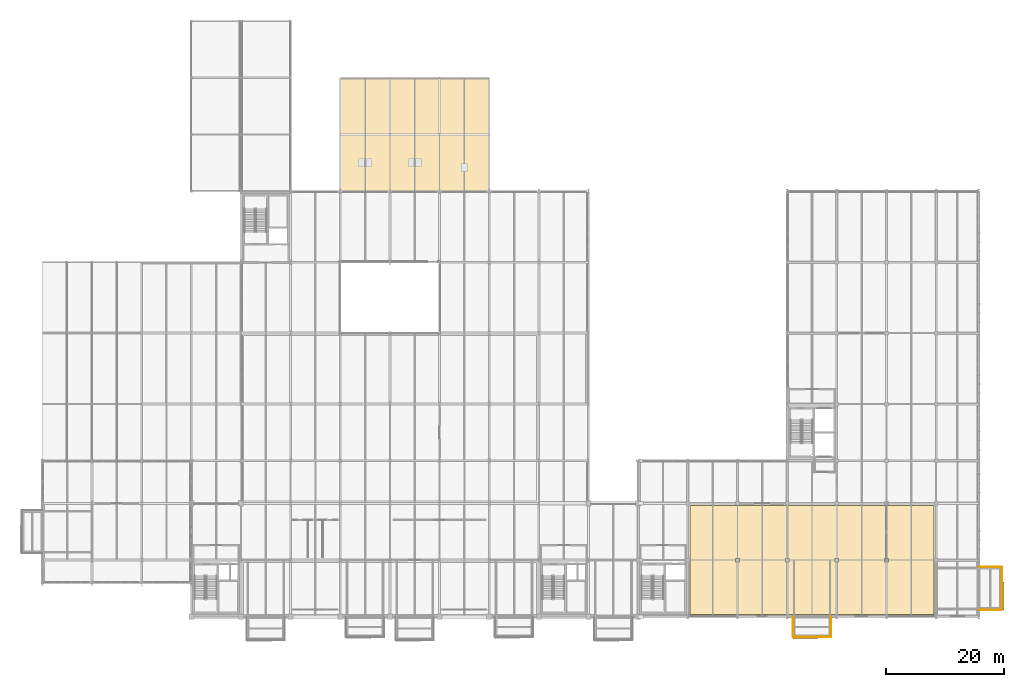
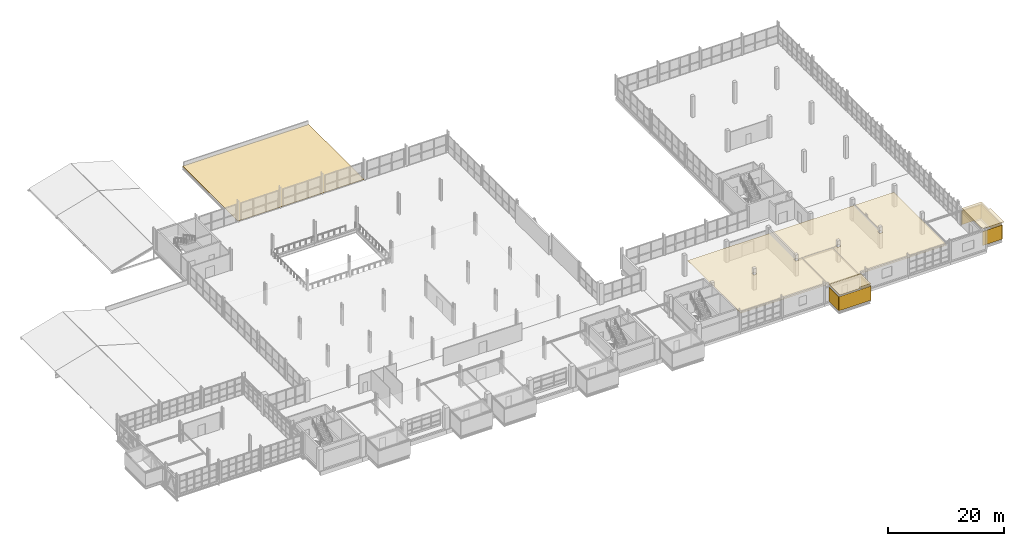
# One storey, part 128 of 130: 10 coverings.
"""IFC4 building model written with IfcOpenShell, lengths in metres."""

from ifc_helpers import new_model, si_unit, direction, frame, frame_2d, origin, place, context, subcontext, project, spatial, polyline, rectangle, outline, extrude, material, layer, layer_set, type_object, element, save


model = new_model("IFC4")

# Units and contexts
model_context = context("Model", 3, precision=1e-05, world=origin(), true_north=direction((0.0, 1.0)))
body_context = subcontext(model_context, "Body", "Model", "MODEL_VIEW")
ifc_project = project(units=[si_unit("LENGTHUNIT", "METRE"), si_unit("AREAUNIT", "SQUARE_METRE"), si_unit("VOLUMEUNIT", "CUBIC_METRE"), si_unit("PLANEANGLEUNIT", "RADIAN"), si_unit("MASSUNIT", "GRAM", prefix="KILO")], contexts=[model_context])

# Site, building, storey
site_placement = place(None, origin())
site = spatial("IfcSite", under=ifc_project, at=site_placement, CompositionType="ELEMENT")
building_placement = place(site_placement, origin())
building = spatial("IfcBuilding", under=site, at=building_placement, Name="Veltarok Museum of Natural Sciences", CompositionType="ELEMENT")
storey_placement = place(building_placement, frame((0.0, 0.0, 12.89990234375)))
storey = spatial("IfcBuildingStorey", under=building, at=storey_placement, Name="L02", CompositionType="ELEMENT", Elevation=12.89990234375)

# Coverings
ifc_material_1 = material(Name="Corrugated zinc cladding")
ifc_layer_1 = layer(ifc_material_1, 0.044921875)
ifc_layer_set_1 = layer_set([ifc_layer_1], Name="Corrugated zinc cladding")
covering_type_1 = type_object("IfcCoveringType", Name="Corrugated Titanium-Zinc Rainscreen Cladding 45", PredefinedType="CLADDING", material=ifc_layer_set_1)
covering_1_placement = place(storey_placement, frame((133.39990234375, -3.422119140625, 0.0), z_axis=(0.0, 0.0, 1.0), x_axis=(1.0, 0.0, 0.0)))
element("IfcCovering", 1, at=covering_1_placement, inside=storey, type_object=covering_type_1, Name="Corrugated Zinc Cladding DB-12-S", PredefinedType="CLADDING", context=body_context, shape_type="SweptSolid", body=[
    extrude(rectangle(XDim=6.400146484375, YDim=0.044921875, at=frame_2d((3.2001953125, 0.0))), origin(), (0.0, 0.0, 1.0), 2.989990234375),
])
for number, where, z_axis, x_axis, name in (
    (2, (133.3779296875, 0.0, 0.0), (0.0, 0.0, 1.0), (0.0, -1.0, 0.0), "Corrugated Zinc Cladding DB-12-W"),
    (3, (139.822021484375, -3.39990234375, 0.0), (0.0, 0.0, 1.0), (0.0, 1.0, 0.0), "Corrugated Zinc Cladding DB-12-E"),
):
    element("IfcCovering", number, at=place(storey_placement, frame(where, z_axis=z_axis, x_axis=x_axis)), inside=storey, type_object=covering_type_1, Name=name, PredefinedType="CLADDING", context=body_context, shape_type="SweptSolid", body=[
        extrude(rectangle(XDim=3.39990234375, YDim=0.044921875, at=frame_2d((1.699951171875, 0.0))), origin(), (0.0, 0.0, 1.0), 2.989990234375),
    ])
covering_2_placement = place(storey_placement, frame((168.721923828125, 1.199951171875, 0.0), z_axis=(0.0, 0.0, 1.0), x_axis=(0.0, 1.0, 0.0)))
element("IfcCovering", 4, at=covering_2_placement, inside=storey, type_object=covering_type_1, Name="Corrugated Zinc Cladding DB-31-E", PredefinedType="CLADDING", context=body_context, shape_type="SweptSolid", body=[
    extrude(rectangle(XDim=7.199951171875, YDim=0.044921875, at=frame_2d((3.60009765625, 0.0))), origin(), (0.0, 0.0, 1.0), 2.989990234375),
])
for number, where, z_axis, x_axis, name in (
    (5, (164.800048828125, 1.177978515625, 0.0), (0.0, 0.0, 1.0), (1.0, 0.0, 0.0), "Corrugated Zinc Cladding DB-31-S"),
    (6, (168.699951171875, 8.422119140625, 0.0), (0.0, 0.0, 1.0), (-1.0, 0.0, 0.0), "Corrugated Zinc Cladding DB-31-N"),
):
    element("IfcCovering", number, at=place(storey_placement, frame(where, z_axis=z_axis, x_axis=x_axis)), inside=storey, type_object=covering_type_1, Name=name, PredefinedType="CLADDING", context=body_context, shape_type="SweptSolid", body=[
        extrude(rectangle(XDim=3.89990234375, YDim=0.044921875, at=frame_2d((1.949951171875, 0.0))), origin(), (0.0, 0.0, 1.0), 2.989990234375),
    ])
ifc_material_2 = material(Name="EPDM waterproofing membrane")
ifc_layer_2 = layer(ifc_material_2, 0.06005859375)
ifc_layer_set_2 = layer_set([ifc_layer_2], Name="EPDM waterproofing membrane")
covering_type_2 = type_object("IfcCoveringType", Name="EPDM Waterproofing and Acoustic Roof Membrane 60", PredefinedType="ROOFING", material=ifc_layer_set_2)
covering_3_placement = place(storey_placement, origin())
element("IfcCovering", 7, at=covering_3_placement, inside=storey, type_object=covering_type_2, Name="Roof Waterproofing RF-V2N", PredefinedType="ROOFING", context=body_context, shape_type="SweptSolid", body=[
    extrude(outline(polyline([(56.800048828125, 72.0), (56.800048828125, 91.199951171875), (82.0, 91.199951171875), (82.0, 72.0), (56.800048828125, 72.0)])), origin(), (0.0, 0.0, 1.0), 0.06005859375),
])
covering_4_placement = place(storey_placement, frame((0.0, 0.0, 3.4501953125)))
element("IfcCovering", 8, at=covering_4_placement, inside=storey, type_object=covering_type_2, Name="Cabinet Box Roof Membrane DB-12", PredefinedType="ROOFING", context=body_context, shape_type="SweptSolid", body=[
    extrude(outline(polyline([(133.39990234375, -3.780029296875), (137.56005859375, -3.780029296875), (137.56005859375, -3.39990234375), (139.800048828125, -3.39990234375), (139.800048828125, 0.0), (133.39990234375, 0.0), (133.39990234375, -3.780029296875)])), origin(), (0.0, 0.0, 1.0), 0.059814453125),
])
covering_5_placement = place(storey_placement, frame((0.0, 0.0, 3.4501953125)))
element("IfcCovering", 9, at=covering_5_placement, inside=storey, type_object=covering_type_2, Name="Cabinet Box Roof Membrane DB-31", PredefinedType="ROOFING", context=body_context, shape_type="SweptSolid", body=[
    extrude(outline(polyline([(164.800048828125, 1.199951171875), (169.080078125, 1.199951171875), (169.080078125, 5.8798828125), (168.699951171875, 5.8798828125), (168.699951171875, 8.39990234375), (164.800048828125, 8.39990234375), (164.800048828125, 1.199951171875)])), origin(), (0.0, 0.0, 1.0), 0.059814453125),
])
ifc_material_3 = material(Name="Acoustic gypsum and mineral wool")
ifc_layer_3 = layer(ifc_material_3, 0.044921875)
ifc_layer_set_3 = layer_set([ifc_layer_3], Name="Acoustic gypsum and mineral wool")
covering_type_3 = type_object("IfcCoveringType", Name="Perforated Acoustic Museum Ceiling Baffle System 45", PredefinedType="CEILING", material=ifc_layer_set_3)
covering_6_placement = place(storey_placement, frame((0.0, 0.0, 3.2001953125)))
element("IfcCovering", 10, at=covering_6_placement, inside=storey, type_object=covering_type_3, Name="Acoustic Gallery Ceiling L02-09", PredefinedType="CEILING", context=body_context, shape_type="SweptSolid", body=[
    extrude(outline(polyline([(116.0, 0.39990234375), (116.0, 18.800048828125), (157.199951171875, 18.800048828125), (157.199951171875, 0.39990234375), (116.0, 0.39990234375)]), holes=[polyline([(132.092041015625, 9.907958984375), (132.092041015625, 9.2919921875), (132.7080078125, 9.2919921875), (132.7080078125, 9.907958984375), (132.092041015625, 9.907958984375)]), polyline([(123.69189453125, 9.907958984375), (123.69189453125, 9.2919921875), (124.30810546875, 9.2919921875), (124.30810546875, 9.907958984375), (123.69189453125, 9.907958984375)]), polyline([(140.491943359375, 9.907958984375), (140.491943359375, 9.2919921875), (141.10791015625, 9.2919921875), (141.10791015625, 9.907958984375), (140.491943359375, 9.907958984375)]), polyline([(148.89208984375, 9.907958984375), (148.89208984375, 9.2919921875), (149.508056640625, 9.2919921875), (149.508056640625, 9.907958984375), (148.89208984375, 9.907958984375)])]), origin(), (0.0, 0.0, 1.0), 0.044921875),
])

save(model, "model.ifc")
